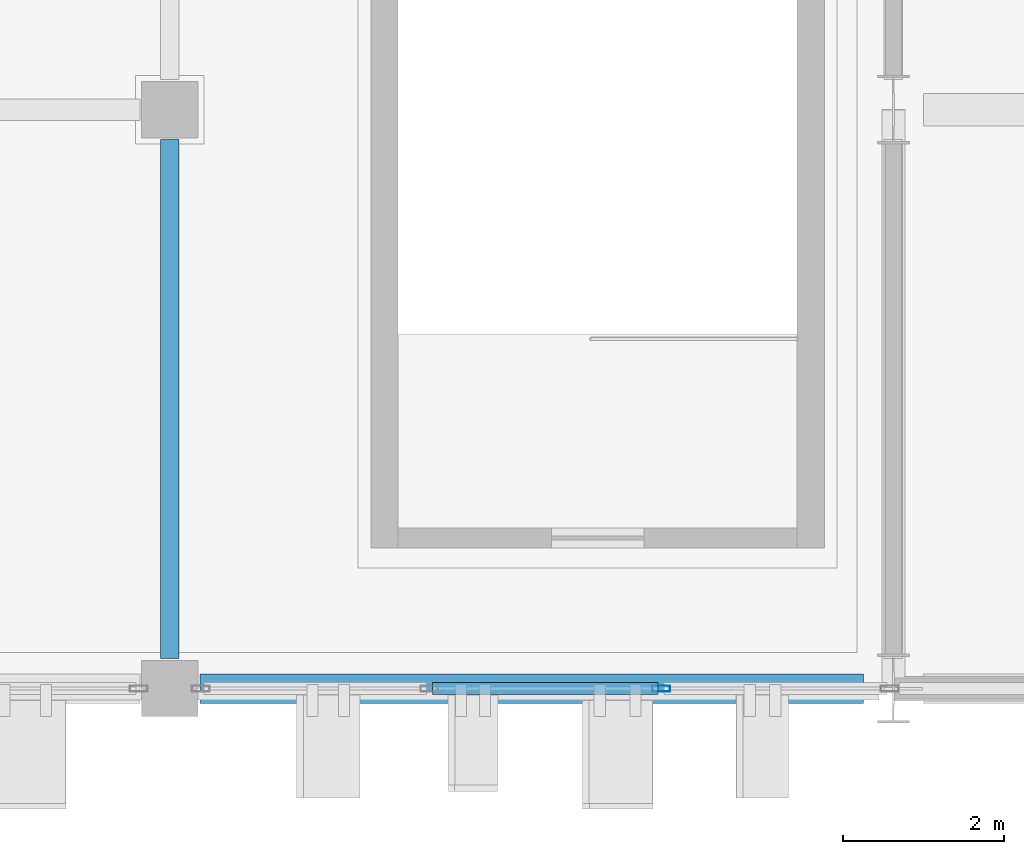
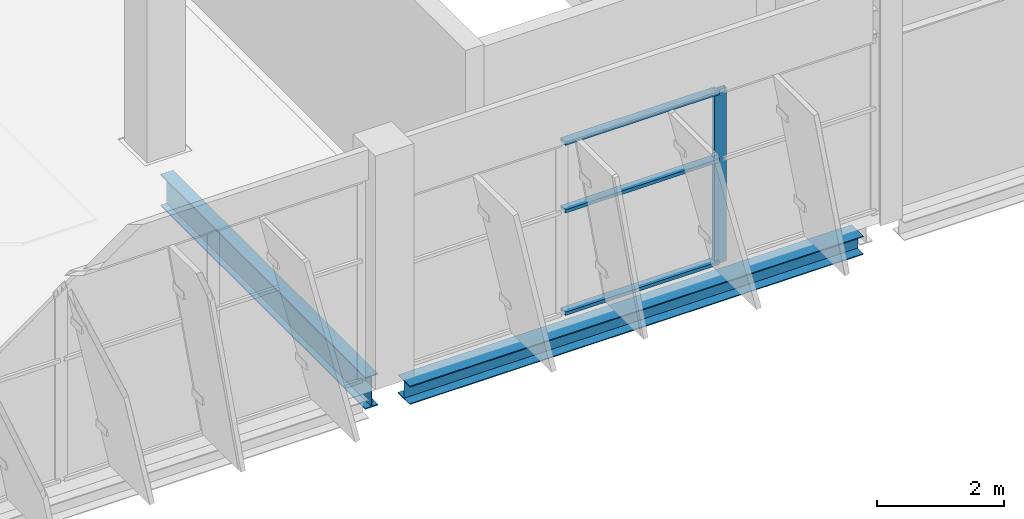
# One storey, part 34 of 151: 4 members, 2 beams, 1 element without a shape of its own.
"""IFC4 building model written with IfcOpenShell, lengths in metres."""

from ifc_helpers import new_model, si_unit, direction, frame, origin, origin_2d, place, context, subcontext, project, spatial, hollow_rectangle, i_section, extrude, material, layer, layer_set, material_profile, profile_set, type_object, element, aggregate, save


model = new_model("IFC4")

# Units and contexts
model_context = context("Model", 3, precision=1e-05, world=origin(), true_north=direction((0.0, 1.0)))
body_context = subcontext(model_context, "Body", "Model", "MODEL_VIEW")
ifc_project = project(units=[si_unit("LENGTHUNIT", "METRE"), si_unit("AREAUNIT", "SQUARE_METRE"), si_unit("VOLUMEUNIT", "CUBIC_METRE"), si_unit("PLANEANGLEUNIT", "RADIAN"), si_unit("MASSUNIT", "GRAM", prefix="KILO")], contexts=[model_context])

# Site, building, storey
site_placement = place(None, origin())
site = spatial("IfcSite", under=ifc_project, at=site_placement, CompositionType="ELEMENT")
building_placement = place(site_placement, origin())
building = spatial("IfcBuilding", under=site, at=building_placement, Name="Celestram Park Convention Centre", CompositionType="ELEMENT")
storey_placement = place(building_placement, frame((0.0, 0.0, 10.800048828125)))
storey = spatial("IfcBuildingStorey", under=building, at=storey_placement, Name="L02", CompositionType="ELEMENT", Elevation=10.800048828125)

# Curtain wall, members
ifc_material_1 = material(Name="Anodised Aluminium Alloy 6063-T6", Category="aluminium")
ifc_layer = layer(ifc_material_1, 0.179931640625)
ifc_layer_set = layer_set([ifc_layer], Name="Anodised Aluminium Alloy 6063-T6")
curtain_wall_type = type_object("IfcCurtainWallType", Name="ARC-CW-864X334", PredefinedType="NOTDEFINED", material=ifc_layer_set)
curtain_wall_placement = place(storey_placement, origin())
curtain_wall = element("IfcCurtainWall", 1, at=curtain_wall_placement, inside=storey, type_object=curtain_wall_type, Name="Unitised curtain wall CU-L02-137", PredefinedType="NOTDEFINED")
ifc_material_profile_1 = material_profile(ifc_material_1, hollow_rectangle(XDim=0.074951171875, YDim=0.219970703125, WallThickness=0.00390625, at=origin_2d()), Name="ALU75X220X4")
ifc_profile_set_1 = profile_set([ifc_material_profile_1], Name="Anodised Aluminium Alloy 6063-T6")
member_type_1 = type_object("IfcMemberType", Name="ARC-CWM-180", PredefinedType="MULLION", material=ifc_profile_set_1)
member_1_placement = place(storey_placement, frame((159.111328125, 0.0, 0.0), z_axis=(0.0, 0.0, 1.0), x_axis=(0.0, -1.0, 0.0)))
member_1 = element("IfcMember", 2, at=member_1_placement, type_object=member_type_1, Name="CW-86X33 mullion 2", PredefinedType="MULLION", context=body_context, shape_type="SweptSolid", body=[
    extrude(hollow_rectangle(XDim=0.074951171875, YDim=0.219970703125, WallThickness=0.00390625, at=origin_2d()), origin(), (0.0, 0.0, 1.0), 3.3359375),
])
ifc_material_profile_2 = material_profile(ifc_material_1, hollow_rectangle(XDim=0.14990234375, YDim=0.06494140625, WallThickness=0.0029296875, at=origin_2d()), Name="ALU150X65X3")
ifc_profile_set_2 = profile_set([ifc_material_profile_2], Name="Anodised Aluminium Alloy 6063-T6")
member_type_2 = type_object("IfcMemberType", Name="ARC-CWT-150", PredefinedType="USERDEFINED", material=ifc_profile_set_2)
member_2_placement = place(storey_placement, frame((159.07373046875, 0.0, 0.032470703125), z_axis=(-1.0, 0.0, 0.0), x_axis=(0.0, -1.0, 0.0)))
member_2 = element("IfcMember", 3, at=member_2_placement, type_object=member_type_2, Name="CW-86X33 transom 2.1", ObjectType="TRANSOM", PredefinedType="USERDEFINED", context=body_context, shape_type="SweptSolid", body=[
    extrude(hollow_rectangle(XDim=0.14990234375, YDim=0.06494140625, WallThickness=0.0029296875, at=origin_2d()), origin(), (0.0, 0.0, 1.0), 2.806640625),
])
member_3_placement = place(storey_placement, frame((159.07373046875, 0.0, 2.001953125), z_axis=(-1.0, 0.0, 0.0), x_axis=(0.0, -1.0, 0.0)))
member_3 = element("IfcMember", 4, at=member_3_placement, type_object=member_type_2, Name="CW-86X33 transom 2.2", ObjectType="TRANSOM", PredefinedType="USERDEFINED", context=body_context, shape_type="SweptSolid", body=[
    extrude(hollow_rectangle(XDim=0.14990234375, YDim=0.06494140625, WallThickness=0.0029296875, at=origin_2d()), origin(), (0.0, 0.0, 1.0), 2.806640625),
])
member_4_placement = place(storey_placement, frame((159.07373046875, 0.0, 3.303466796875), z_axis=(-1.0, 0.0, 0.0), x_axis=(0.0, -1.0, 0.0)))
member_4 = element("IfcMember", 5, at=member_4_placement, type_object=member_type_2, Name="CW-86X33 transom 2.3", ObjectType="TRANSOM", PredefinedType="USERDEFINED", context=body_context, shape_type="SweptSolid", body=[
    extrude(hollow_rectangle(XDim=0.14990234375, YDim=0.06494140625, WallThickness=0.0029296875, at=origin_2d()), origin(), (0.0, 0.0, 1.0), 2.806640625),
])
aggregate(curtain_wall, [member_1, member_2, member_3, member_4])

# Beams
ifc_material_2 = material(Name="Steel ASTM A992 Grade 50", Category="steel")
ifc_material_profile_3 = material_profile(ifc_material_2, i_section(OverallWidth=0.22900390625, OverallDepth=0.612060546875, WebThickness=0.011962890625, FlangeThickness=0.01953125, at=origin_2d()), Name="W24X84")
ifc_profile_set_3 = profile_set([ifc_material_profile_3], Name="Steel ASTM A992 Grade 50")
beam_type_1 = type_object("IfcBeamType", Name="STR-BM-W24X84", PredefinedType="BEAM", material=ifc_profile_set_3)
beam_1_placement = place(storey_placement, frame((153.0, 0.373046875, -0.5859375), z_axis=(0.0, 1.0, 0.0), x_axis=(-1.0, 0.0, 0.0)))
element("IfcBeam", 6, at=beam_1_placement, inside=storey, type_object=beam_type_1, Name="Primary Y-girder BG-L02-0266", PredefinedType="BEAM", context=body_context, shape_type="SweptSolid", body=[
    extrude(i_section(OverallWidth=0.22900390625, OverallDepth=0.612060546875, WebThickness=0.011962890625, FlangeThickness=0.01953125, at=origin_2d()), origin(), (0.0, 0.0, 1.0), 6.453857421875),
])
ifc_material_profile_4 = material_profile(ifc_material_2, i_section(OverallWidth=0.367919921875, OverallDepth=0.35595703125, WebThickness=0.01123046875, FlangeThickness=0.01806640625, at=origin_2d()), Name="W14X90")
ifc_profile_set_4 = profile_set([ifc_material_profile_4], Name="Steel ASTM A992 Grade 50")
beam_type_2 = type_object("IfcBeamType", Name="STR-SPN-W14X90", PredefinedType="SPANDREL", material=ifc_profile_set_4)
beam_2_placement = place(storey_placement, frame((153.373046875, 0.0, -0.4580078125), z_axis=(1.0, 0.0, 0.0), x_axis=(0.0, 1.0, 0.0)))
element("IfcBeam", 7, at=beam_2_placement, inside=storey, type_object=beam_type_2, Name="Primary X-girder BG-L02-0265", PredefinedType="SPANDREL", context=body_context, shape_type="SweptSolid", body=[
    extrude(i_section(OverallWidth=0.367919921875, OverallDepth=0.35595703125, WebThickness=0.01123046875, FlangeThickness=0.01806640625, at=origin_2d()), origin(), (0.0, 0.0, 1.0), 8.25390625),
])

save(model, "model.ifc")
